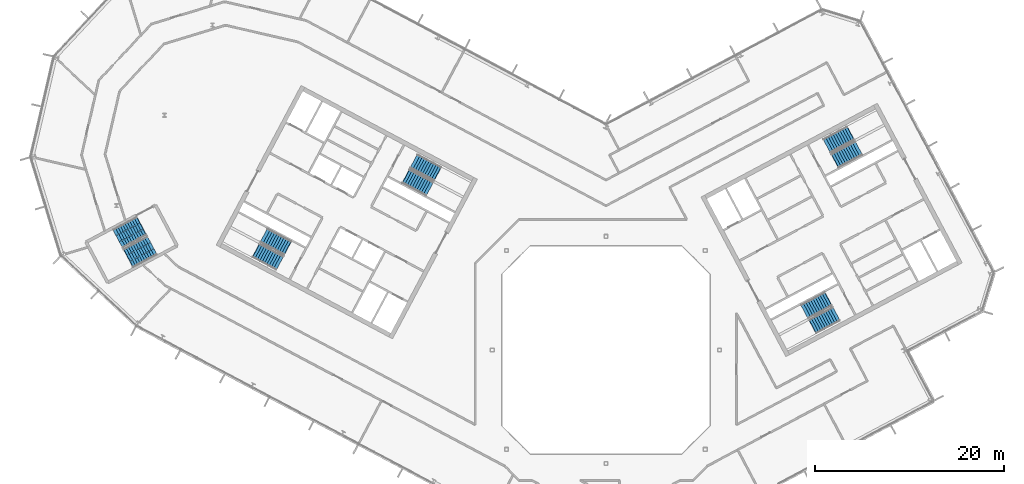
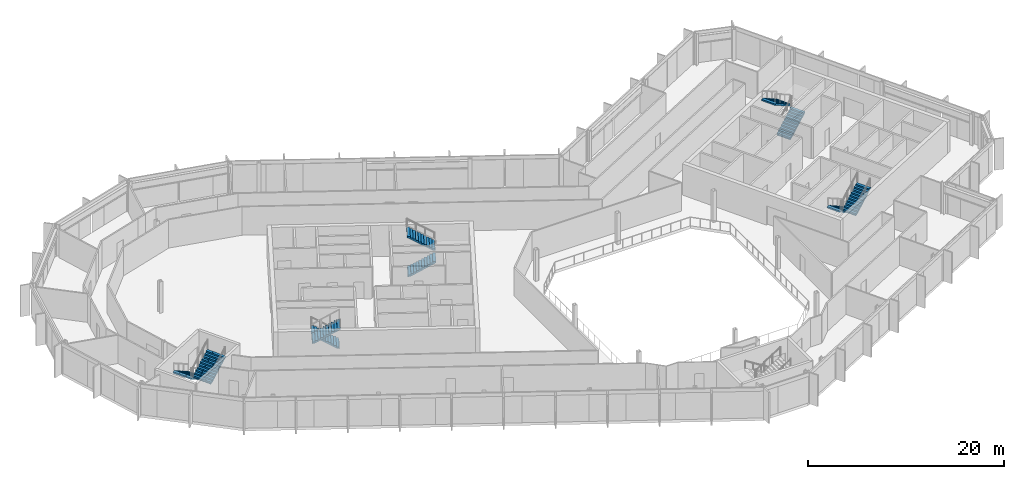
# One storey, part 18 of 26: 10 stair flights, 5 elements without a shape of their own.
"""IFC4 building model written with IfcOpenShell, lengths in metres."""

from ifc_helpers import new_model, si_unit, direction, frame, origin, place, context, subcontext, project, spatial, polyline, outline, extrude, material, type_object, element, aggregate, save


model = new_model("IFC4")

# Units and contexts
model_context = context("Model", 3, precision=1e-05, world=origin(), true_north=direction((0.0, 1.0)))
body_context = subcontext(model_context, "Body", "Model", "MODEL_VIEW")
ifc_project = project(units=[si_unit("LENGTHUNIT", "METRE"), si_unit("AREAUNIT", "SQUARE_METRE"), si_unit("VOLUMEUNIT", "CUBIC_METRE"), si_unit("PLANEANGLEUNIT", "RADIAN"), si_unit("MASSUNIT", "GRAM", prefix="KILO")], contexts=[model_context])

# Site, building, storey
site_placement = place(None, origin())
site = spatial("IfcSite", under=ifc_project, at=site_placement, CompositionType="ELEMENT")
building_placement = place(site_placement, origin())
building = spatial("IfcBuilding", under=site, at=building_placement, Name="Cormorant Relay Tower", CompositionType="ELEMENT")
storey_placement = place(building_placement, frame((0.0, 0.0, 312.60009765625)))
storey = spatial("IfcBuildingStorey", under=building, at=storey_placement, Name="L71", CompositionType="ELEMENT", Elevation=312.60009765625)

# Stair, stair flights
ifc_material_1 = material(Name="Concrete 40 MPa", Category="concrete")
stair_type_1 = type_object("IfcStairType", Name="Exit stair 1500", PredefinedType="HALF_TURN_STAIR", material=ifc_material_1)
stair_1_placement = place(storey_placement, origin())
stair_1 = element("IfcStair", 1, at=stair_1_placement, inside=storey, type_object=stair_type_1, Name="L71 Stair", PredefinedType="HALF_TURN_STAIR")
ifc_material_2 = material(Name="Concrete 40 MPa", Category="concrete")
stair_flight_type_1 = type_object("IfcStairFlightType", Name="Exit stair flight 1650", PredefinedType="STRAIGHT", material=ifc_material_2)
stair_flight_1_placement = place(storey_placement, frame((-21.114501953125, 18.33349609375, 0.0), z_axis=(0.0, 0.0, 1.0), x_axis=(0.882947592859, -0.469471562786, 0.0)))
stair_flight_1 = element("IfcStairFlight", 2, at=stair_flight_1_placement, type_object=stair_flight_type_1, Name="A1 flight 1", NumberOfRisers=11, NumberOfTreads=10, PredefinedType="STRAIGHT", RiserHeight=0.177272727, TreadLength=0.28, context=body_context, shape_type="SweptSolid", body=[
    extrude(outline(polyline([(-0.050048828125, -0.080078125), (-0.050048828125, 0.0), (0.0, 0.0), (0.0, 0.17724609375), (0.280029296875, 0.17724609375), (0.280029296875, 0.3544921875), (0.56005859375, 0.3544921875), (0.56005859375, 0.53173828125), (0.840087890625, 0.53173828125), (0.840087890625, 0.708984375), (1.1201171875, 0.708984375), (1.1201171875, 0.886474609375), (1.39990234375, 0.886474609375), (1.39990234375, 1.063720703125), (1.679931640625, 1.063720703125), (1.679931640625, 1.240966796875), (1.9599609375, 1.240966796875), (1.9599609375, 1.418212890625), (2.239990234375, 1.418212890625), (2.239990234375, 1.595458984375), (2.52001953125, 1.595458984375), (2.52001953125, 1.772705078125), (2.800048828125, 1.772705078125), (2.85009765625, 1.772705078125), (2.85009765625, 1.59521484375), (2.800048828125, 1.59521484375), (0.2802734375, 0.0), (-0.050048828125, -0.080078125)])), frame((0.0, 0.824951171875, 0.0), z_axis=(0.0, -1.0, 0.0), x_axis=(1.0, 0.0, 0.0)), (0.0, 0.0, 1.0), 1.64990234375),
])
stair_flight_2_placement = place(storey_placement, frame((-17.797119140625, 18.6083984375, 1.949951171875), z_axis=(0.0, 0.0, 1.0), x_axis=(-0.882947592859, 0.469471562786, 0.0)))
stair_flight_2 = element("IfcStairFlight", 3, at=stair_flight_2_placement, type_object=stair_flight_type_1, Name="A1 flight 2", NumberOfRisers=11, NumberOfTreads=10, PredefinedType="STRAIGHT", RiserHeight=0.177272727, TreadLength=0.28, context=body_context, shape_type="SweptSolid", body=[
    extrude(outline(polyline([(-0.050048828125, -0.080078125), (-0.050048828125, 0.0), (0.0, 0.0), (0.0, 0.17724609375), (0.280029296875, 0.17724609375), (0.280029296875, 0.3544921875), (0.56005859375, 0.3544921875), (0.56005859375, 0.53173828125), (0.840087890625, 0.53173828125), (0.840087890625, 0.708984375), (1.1201171875, 0.708984375), (1.1201171875, 0.886474609375), (1.39990234375, 0.886474609375), (1.39990234375, 1.063720703125), (1.679931640625, 1.063720703125), (1.679931640625, 1.240966796875), (1.9599609375, 1.240966796875), (1.9599609375, 1.418212890625), (2.239990234375, 1.418212890625), (2.239990234375, 1.595458984375), (2.52001953125, 1.595458984375), (2.52001953125, 1.772705078125), (2.800048828125, 1.772705078125), (2.85009765625, 1.772705078125), (2.85009765625, 1.59521484375), (2.800048828125, 1.59521484375), (0.2802734375, 0.0), (-0.050048828125, -0.080078125)])), frame((0.0, 0.824951171875, 0.0), z_axis=(0.0, -1.0, 0.0), x_axis=(1.0, 0.0, 0.0)), (0.0, 0.0, 1.0), 1.64990234375),
])
aggregate(stair_1, [stair_flight_1, stair_flight_2])

stair_2_placement = place(storey_placement, origin())
stair_2 = element("IfcStair", 4, at=stair_2_placement, inside=storey, type_object=stair_type_1, Name="L71 Stair", PredefinedType="HALF_TURN_STAIR")
stair_flight_3_placement = place(storey_placement, frame((-33.62841796875, 10.773681640625, 0.0), z_axis=(0.0, 0.0, 1.0), x_axis=(-0.882947592859, 0.469471562786, 0.0)))
stair_flight_3 = element("IfcStairFlight", 5, at=stair_flight_3_placement, type_object=stair_flight_type_1, Name="A2 flight 1", NumberOfRisers=11, NumberOfTreads=10, PredefinedType="STRAIGHT", RiserHeight=0.177272727, TreadLength=0.28, context=body_context, shape_type="SweptSolid", body=[
    extrude(outline(polyline([(-0.050048828125, -0.080078125), (-0.050048828125, 0.0), (0.0, 0.0), (0.0, 0.17724609375), (0.280029296875, 0.17724609375), (0.280029296875, 0.3544921875), (0.56005859375, 0.3544921875), (0.56005859375, 0.53173828125), (0.840087890625, 0.53173828125), (0.840087890625, 0.708984375), (1.1201171875, 0.708984375), (1.1201171875, 0.886474609375), (1.39990234375, 0.886474609375), (1.39990234375, 1.063720703125), (1.679931640625, 1.063720703125), (1.679931640625, 1.240966796875), (1.9599609375, 1.240966796875), (1.9599609375, 1.418212890625), (2.239990234375, 1.418212890625), (2.239990234375, 1.595458984375), (2.52001953125, 1.595458984375), (2.52001953125, 1.772705078125), (2.800048828125, 1.772705078125), (2.85009765625, 1.772705078125), (2.85009765625, 1.59521484375), (2.800048828125, 1.59521484375), (0.2802734375, 0.0), (-0.050048828125, -0.080078125)])), frame((0.0, 0.824951171875, 0.0), z_axis=(0.0, -1.0, 0.0), x_axis=(1.0, 0.0, 0.0)), (0.0, 0.0, 1.0), 1.64990234375),
])
stair_flight_4_placement = place(storey_placement, frame((-36.945556640625, 10.498779296875, 1.949951171875), z_axis=(0.0, 0.0, 1.0), x_axis=(0.882947592859, -0.469471562786, 0.0)))
stair_flight_4 = element("IfcStairFlight", 6, at=stair_flight_4_placement, type_object=stair_flight_type_1, Name="A2 flight 2", NumberOfRisers=11, NumberOfTreads=10, PredefinedType="STRAIGHT", RiserHeight=0.177272727, TreadLength=0.28, context=body_context, shape_type="SweptSolid", body=[
    extrude(outline(polyline([(-0.050048828125, -0.080078125), (-0.050048828125, 0.0), (0.0, 0.0), (0.0, 0.17724609375), (0.280029296875, 0.17724609375), (0.280029296875, 0.3544921875), (0.56005859375, 0.3544921875), (0.56005859375, 0.53173828125), (0.840087890625, 0.53173828125), (0.840087890625, 0.708984375), (1.1201171875, 0.708984375), (1.1201171875, 0.886474609375), (1.39990234375, 0.886474609375), (1.39990234375, 1.063720703125), (1.679931640625, 1.063720703125), (1.679931640625, 1.240966796875), (1.9599609375, 1.240966796875), (1.9599609375, 1.418212890625), (2.239990234375, 1.418212890625), (2.239990234375, 1.595458984375), (2.52001953125, 1.595458984375), (2.52001953125, 1.772705078125), (2.800048828125, 1.772705078125), (2.85009765625, 1.772705078125), (2.85009765625, 1.59521484375), (2.800048828125, 1.59521484375), (0.2802734375, 0.0), (-0.050048828125, -0.080078125)])), frame((0.0, 0.824951171875, 0.0), z_axis=(0.0, -1.0, 0.0), x_axis=(1.0, 0.0, 0.0)), (0.0, 0.0, 1.0), 1.64990234375),
])
aggregate(stair_2, [stair_flight_3, stair_flight_4])

stair_3_placement = place(storey_placement, origin())
stair_3 = element("IfcStair", 7, at=stair_3_placement, inside=storey, type_object=stair_type_1, Name="L71 Stair", PredefinedType="HALF_TURN_STAIR")
stair_flight_5_placement = place(storey_placement, frame((23.474365234375, 5.374755859375, 0.0), z_axis=(0.0, 0.0, 1.0), x_axis=(-0.882947592859, -0.469471562786, 0.0)))
stair_flight_5 = element("IfcStairFlight", 8, at=stair_flight_5_placement, type_object=stair_flight_type_1, Name="B1 flight 1", NumberOfRisers=11, NumberOfTreads=10, PredefinedType="STRAIGHT", RiserHeight=0.177272727, TreadLength=0.28, context=body_context, shape_type="SweptSolid", body=[
    extrude(outline(polyline([(-0.050048828125, -0.080078125), (-0.050048828125, 0.0), (0.0, 0.0), (0.0, 0.17724609375), (0.280029296875, 0.17724609375), (0.280029296875, 0.3544921875), (0.56005859375, 0.3544921875), (0.56005859375, 0.53173828125), (0.840087890625, 0.53173828125), (0.840087890625, 0.708984375), (1.1201171875, 0.708984375), (1.1201171875, 0.886474609375), (1.39990234375, 0.886474609375), (1.39990234375, 1.063720703125), (1.679931640625, 1.063720703125), (1.679931640625, 1.240966796875), (1.9599609375, 1.240966796875), (1.9599609375, 1.418212890625), (2.239990234375, 1.418212890625), (2.239990234375, 1.595458984375), (2.52001953125, 1.595458984375), (2.52001953125, 1.772705078125), (2.800048828125, 1.772705078125), (2.85009765625, 1.772705078125), (2.85009765625, 1.59521484375), (2.800048828125, 1.59521484375), (0.2802734375, 0.0), (-0.050048828125, -0.080078125)])), frame((0.0, 0.824951171875, 0.0), z_axis=(0.0, -1.0, 0.0), x_axis=(1.0, 0.0, 0.0)), (0.0, 0.0, 1.0), 1.64990234375),
])
stair_flight_6_placement = place(storey_placement, frame((21.84716796875, 2.470947265625, 1.949951171875), z_axis=(0.0, 0.0, 1.0), x_axis=(0.882947592859, 0.469471562786, 0.0)))
stair_flight_6 = element("IfcStairFlight", 9, at=stair_flight_6_placement, type_object=stair_flight_type_1, Name="B1 flight 2", NumberOfRisers=11, NumberOfTreads=10, PredefinedType="STRAIGHT", RiserHeight=0.177272727, TreadLength=0.28, context=body_context, shape_type="SweptSolid", body=[
    extrude(outline(polyline([(-0.050048828125, -0.080078125), (-0.050048828125, 0.0), (0.0, 0.0), (0.0, 0.17724609375), (0.280029296875, 0.17724609375), (0.280029296875, 0.3544921875), (0.56005859375, 0.3544921875), (0.56005859375, 0.53173828125), (0.840087890625, 0.53173828125), (0.840087890625, 0.708984375), (1.1201171875, 0.708984375), (1.1201171875, 0.886474609375), (1.39990234375, 0.886474609375), (1.39990234375, 1.063720703125), (1.679931640625, 1.063720703125), (1.679931640625, 1.240966796875), (1.9599609375, 1.240966796875), (1.9599609375, 1.418212890625), (2.239990234375, 1.418212890625), (2.239990234375, 1.595458984375), (2.52001953125, 1.595458984375), (2.52001953125, 1.772705078125), (2.800048828125, 1.772705078125), (2.85009765625, 1.772705078125), (2.85009765625, 1.59521484375), (2.800048828125, 1.59521484375), (0.2802734375, 0.0), (-0.050048828125, -0.080078125)])), frame((0.0, 0.824951171875, 0.0), z_axis=(0.0, -1.0, 0.0), x_axis=(1.0, 0.0, 0.0)), (0.0, 0.0, 1.0), 1.64990234375),
])
aggregate(stair_3, [stair_flight_5, stair_flight_6])

stair_4_placement = place(storey_placement, origin())
stair_4 = element("IfcStair", 10, at=stair_4_placement, inside=storey, type_object=stair_type_1, Name="L71 Stair", PredefinedType="HALF_TURN_STAIR")
stair_flight_7_placement = place(storey_placement, frame((24.20458984375, 19.976806640625, 0.0), z_axis=(0.0, 0.0, 1.0), x_axis=(0.882947592859, 0.469471562786, 0.0)))
stair_flight_7 = element("IfcStairFlight", 11, at=stair_flight_7_placement, type_object=stair_flight_type_1, Name="B2 flight 1", NumberOfRisers=11, NumberOfTreads=10, PredefinedType="STRAIGHT", RiserHeight=0.177272727, TreadLength=0.28, context=body_context, shape_type="SweptSolid", body=[
    extrude(outline(polyline([(-0.050048828125, -0.080078125), (-0.050048828125, 0.0), (0.0, 0.0), (0.0, 0.17724609375), (0.280029296875, 0.17724609375), (0.280029296875, 0.3544921875), (0.56005859375, 0.3544921875), (0.56005859375, 0.53173828125), (0.840087890625, 0.53173828125), (0.840087890625, 0.708984375), (1.1201171875, 0.708984375), (1.1201171875, 0.886474609375), (1.39990234375, 0.886474609375), (1.39990234375, 1.063720703125), (1.679931640625, 1.063720703125), (1.679931640625, 1.240966796875), (1.9599609375, 1.240966796875), (1.9599609375, 1.418212890625), (2.239990234375, 1.418212890625), (2.239990234375, 1.595458984375), (2.52001953125, 1.595458984375), (2.52001953125, 1.772705078125), (2.800048828125, 1.772705078125), (2.85009765625, 1.772705078125), (2.85009765625, 1.59521484375), (2.800048828125, 1.59521484375), (0.2802734375, 0.0), (-0.050048828125, -0.080078125)])), frame((0.0, 0.824951171875, 0.0), z_axis=(0.0, -1.0, 0.0), x_axis=(1.0, 0.0, 0.0)), (0.0, 0.0, 1.0), 1.64990234375),
])
stair_flight_8_placement = place(storey_placement, frame((25.831787109375, 22.880615234375, 1.949951171875), z_axis=(0.0, 0.0, 1.0), x_axis=(-0.882947592859, -0.469471562786, 0.0)))
stair_flight_8 = element("IfcStairFlight", 12, at=stair_flight_8_placement, type_object=stair_flight_type_1, Name="B2 flight 2", NumberOfRisers=11, NumberOfTreads=10, PredefinedType="STRAIGHT", RiserHeight=0.177272727, TreadLength=0.28, context=body_context, shape_type="SweptSolid", body=[
    extrude(outline(polyline([(-0.050048828125, -0.080078125), (-0.050048828125, 0.0), (0.0, 0.0), (0.0, 0.17724609375), (0.280029296875, 0.17724609375), (0.280029296875, 0.3544921875), (0.56005859375, 0.3544921875), (0.56005859375, 0.53173828125), (0.840087890625, 0.53173828125), (0.840087890625, 0.708984375), (1.1201171875, 0.708984375), (1.1201171875, 0.886474609375), (1.39990234375, 0.886474609375), (1.39990234375, 1.063720703125), (1.679931640625, 1.063720703125), (1.679931640625, 1.240966796875), (1.9599609375, 1.240966796875), (1.9599609375, 1.418212890625), (2.239990234375, 1.418212890625), (2.239990234375, 1.595458984375), (2.52001953125, 1.595458984375), (2.52001953125, 1.772705078125), (2.800048828125, 1.772705078125), (2.85009765625, 1.772705078125), (2.85009765625, 1.59521484375), (2.800048828125, 1.59521484375), (0.2802734375, 0.0), (-0.050048828125, -0.080078125)])), frame((0.0, 0.824951171875, 0.0), z_axis=(0.0, -1.0, 0.0), x_axis=(1.0, 0.0, 0.0)), (0.0, 0.0, 1.0), 1.64990234375),
])
aggregate(stair_4, [stair_flight_7, stair_flight_8])

ifc_material_3 = material(Name="Concrete 40 MPa", Category="concrete")
stair_type_2 = type_object("IfcStairType", Name="Remote exit stair 2200", PredefinedType="HALF_TURN_STAIR", material=ifc_material_3)
stair_5_placement = place(storey_placement, origin())
stair_5 = element("IfcStair", 13, at=stair_5_placement, inside=storey, type_object=stair_type_2, Name="L71 Stair", PredefinedType="HALF_TURN_STAIR")
ifc_material_4 = material(Name="Concrete 40 MPa", Category="concrete")
stair_flight_type_2 = type_object("IfcStairFlightType", Name="Remote exit stair flight 2200", PredefinedType="STRAIGHT", material=ifc_material_4)
stair_flight_9_placement = place(storey_placement, frame((-49.062255859375, 13.08251953125, 0.0), z_axis=(0.0, 0.0, 1.0), x_axis=(-0.882947502727, -0.4694717323, 0.0)))
stair_flight_9 = element("IfcStairFlight", 14, at=stair_flight_9_placement, type_object=stair_flight_type_2, Name="RP1 flight 1", NumberOfRisers=11, NumberOfTreads=10, PredefinedType="STRAIGHT", RiserHeight=0.177272727, TreadLength=0.28, context=body_context, shape_type="SweptSolid", body=[
    extrude(outline(polyline([(-0.050048828125, -0.080078125), (-0.050048828125, 0.0), (0.0, 0.0), (0.0, 0.17724609375), (0.280029296875, 0.17724609375), (0.280029296875, 0.3544921875), (0.56005859375, 0.3544921875), (0.56005859375, 0.53173828125), (0.840087890625, 0.53173828125), (0.840087890625, 0.708984375), (1.1201171875, 0.708984375), (1.1201171875, 0.886474609375), (1.39990234375, 0.886474609375), (1.39990234375, 1.063720703125), (1.679931640625, 1.063720703125), (1.679931640625, 1.240966796875), (1.9599609375, 1.240966796875), (1.9599609375, 1.418212890625), (2.239990234375, 1.418212890625), (2.239990234375, 1.595458984375), (2.52001953125, 1.595458984375), (2.52001953125, 1.772705078125), (2.800048828125, 1.772705078125), (2.85009765625, 1.772705078125), (2.85009765625, 1.59521484375), (2.800048828125, 1.59521484375), (0.2802734375, 0.0), (-0.050048828125, -0.080078125)])), frame((0.0, 1.10009765625, 0.0), z_axis=(0.0, -1.0, 0.0), x_axis=(1.0, 0.0, 0.0)), (0.0, 0.0, 1.0), 0.719970703125),
    extrude(outline(polyline([(-0.050048828125, -0.080078125), (-0.050048828125, 0.0), (0.0, 0.0), (0.0, 0.17724609375), (0.280029296875, 0.17724609375), (0.280029296875, 0.3544921875), (0.56005859375, 0.3544921875), (0.56005859375, 0.53173828125), (0.840087890625, 0.53173828125), (0.840087890625, 0.708984375), (1.1201171875, 0.708984375), (1.1201171875, 0.886474609375), (1.39990234375, 0.886474609375), (1.39990234375, 1.063720703125), (1.679931640625, 1.063720703125), (1.679931640625, 1.240966796875), (1.9599609375, 1.240966796875), (1.9599609375, 1.418212890625), (2.239990234375, 1.418212890625), (2.239990234375, 1.595458984375), (2.52001953125, 1.595458984375), (2.52001953125, 1.772705078125), (2.800048828125, 1.772705078125), (2.85009765625, 1.772705078125), (2.85009765625, 1.59521484375), (2.800048828125, 1.59521484375), (0.2802734375, 0.0), (-0.050048828125, -0.080078125)])), frame((0.0, 0.360107421875, 0.0), z_axis=(0.0, -1.0, 0.0), x_axis=(1.0, 0.0, 0.0)), (0.0, 0.0, 1.0), 0.719970703125),
    extrude(outline(polyline([(-0.050048828125, -0.080078125), (-0.050048828125, 0.0), (0.0, 0.0), (0.0, 0.17724609375), (0.280029296875, 0.17724609375), (0.280029296875, 0.3544921875), (0.56005859375, 0.3544921875), (0.56005859375, 0.53173828125), (0.840087890625, 0.53173828125), (0.840087890625, 0.708984375), (1.1201171875, 0.708984375), (1.1201171875, 0.886474609375), (1.39990234375, 0.886474609375), (1.39990234375, 1.063720703125), (1.679931640625, 1.063720703125), (1.679931640625, 1.240966796875), (1.9599609375, 1.240966796875), (1.9599609375, 1.418212890625), (2.239990234375, 1.418212890625), (2.239990234375, 1.595458984375), (2.52001953125, 1.595458984375), (2.52001953125, 1.772705078125), (2.800048828125, 1.772705078125), (2.85009765625, 1.772705078125), (2.85009765625, 1.59521484375), (2.800048828125, 1.59521484375), (0.2802734375, 0.0), (-0.050048828125, -0.080078125)])), frame((0.0, -0.3798828125, 0.0), z_axis=(0.0, -1.0, 0.0), x_axis=(1.0, 0.0, 0.0)), (0.0, 0.0, 1.0), 0.719970703125),
])
stair_flight_10_placement = place(storey_placement, frame((-50.431396484375, 9.693115234375, 1.949951171875), z_axis=(0.0, 0.0, 1.0), x_axis=(0.882947502727, 0.4694717323, 0.0)))
stair_flight_10 = element("IfcStairFlight", 15, at=stair_flight_10_placement, type_object=stair_flight_type_2, Name="RP1 flight 2", NumberOfRisers=11, NumberOfTreads=10, PredefinedType="STRAIGHT", RiserHeight=0.177272727, TreadLength=0.28, context=body_context, shape_type="SweptSolid", body=[
    extrude(outline(polyline([(-0.050048828125, -0.080078125), (-0.050048828125, 0.0), (0.0, 0.0), (0.0, 0.17724609375), (0.280029296875, 0.17724609375), (0.280029296875, 0.3544921875), (0.56005859375, 0.3544921875), (0.56005859375, 0.53173828125), (0.840087890625, 0.53173828125), (0.840087890625, 0.708984375), (1.1201171875, 0.708984375), (1.1201171875, 0.886474609375), (1.39990234375, 0.886474609375), (1.39990234375, 1.063720703125), (1.679931640625, 1.063720703125), (1.679931640625, 1.240966796875), (1.9599609375, 1.240966796875), (1.9599609375, 1.418212890625), (2.239990234375, 1.418212890625), (2.239990234375, 1.595458984375), (2.52001953125, 1.595458984375), (2.52001953125, 1.772705078125), (2.800048828125, 1.772705078125), (2.85009765625, 1.772705078125), (2.85009765625, 1.59521484375), (2.800048828125, 1.59521484375), (0.2802734375, 0.0), (-0.050048828125, -0.080078125)])), frame((0.0, 1.10009765625, 0.0), z_axis=(0.0, -1.0, 0.0), x_axis=(1.0, 0.0, 0.0)), (0.0, 0.0, 1.0), 0.719970703125),
    extrude(outline(polyline([(-0.050048828125, -0.080078125), (-0.050048828125, 0.0), (0.0, 0.0), (0.0, 0.17724609375), (0.280029296875, 0.17724609375), (0.280029296875, 0.3544921875), (0.56005859375, 0.3544921875), (0.56005859375, 0.53173828125), (0.840087890625, 0.53173828125), (0.840087890625, 0.708984375), (1.1201171875, 0.708984375), (1.1201171875, 0.886474609375), (1.39990234375, 0.886474609375), (1.39990234375, 1.063720703125), (1.679931640625, 1.063720703125), (1.679931640625, 1.240966796875), (1.9599609375, 1.240966796875), (1.9599609375, 1.418212890625), (2.239990234375, 1.418212890625), (2.239990234375, 1.595458984375), (2.52001953125, 1.595458984375), (2.52001953125, 1.772705078125), (2.800048828125, 1.772705078125), (2.85009765625, 1.772705078125), (2.85009765625, 1.59521484375), (2.800048828125, 1.59521484375), (0.2802734375, 0.0), (-0.050048828125, -0.080078125)])), frame((0.0, 0.360107421875, 0.0), z_axis=(0.0, -1.0, 0.0), x_axis=(1.0, 0.0, 0.0)), (0.0, 0.0, 1.0), 0.719970703125),
    extrude(outline(polyline([(-0.050048828125, -0.080078125), (-0.050048828125, 0.0), (0.0, 0.0), (0.0, 0.17724609375), (0.280029296875, 0.17724609375), (0.280029296875, 0.3544921875), (0.56005859375, 0.3544921875), (0.56005859375, 0.53173828125), (0.840087890625, 0.53173828125), (0.840087890625, 0.708984375), (1.1201171875, 0.708984375), (1.1201171875, 0.886474609375), (1.39990234375, 0.886474609375), (1.39990234375, 1.063720703125), (1.679931640625, 1.063720703125), (1.679931640625, 1.240966796875), (1.9599609375, 1.240966796875), (1.9599609375, 1.418212890625), (2.239990234375, 1.418212890625), (2.239990234375, 1.595458984375), (2.52001953125, 1.595458984375), (2.52001953125, 1.772705078125), (2.800048828125, 1.772705078125), (2.85009765625, 1.772705078125), (2.85009765625, 1.59521484375), (2.800048828125, 1.59521484375), (0.2802734375, 0.0), (-0.050048828125, -0.080078125)])), frame((0.0, -0.3798828125, 0.0), z_axis=(0.0, -1.0, 0.0), x_axis=(1.0, 0.0, 0.0)), (0.0, 0.0, 1.0), 0.719970703125),
])
aggregate(stair_5, [stair_flight_9, stair_flight_10])

save(model, "model.ifc")
